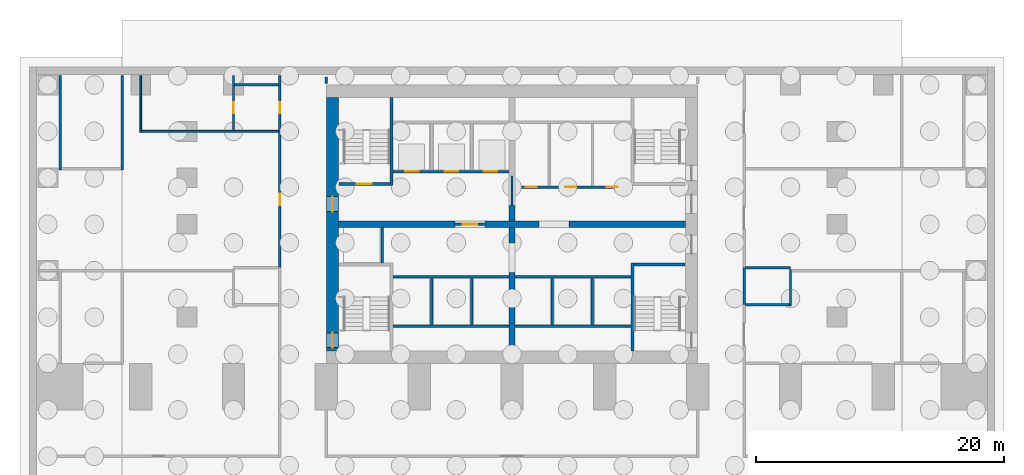
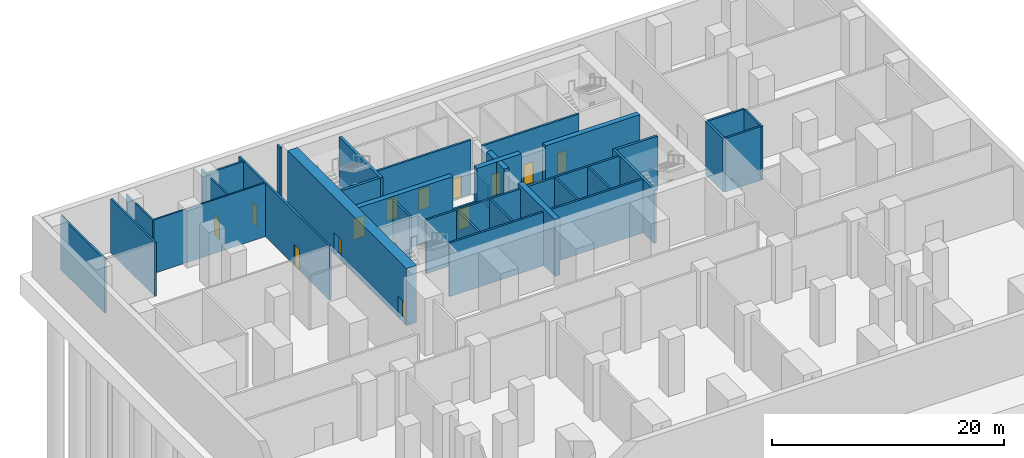
# One storey, part 5 of 9: 38 walls, 13 doors, 13 openings.
"""IFC4 building model written with IfcOpenShell, lengths in metres."""

from ifc_helpers import new_model, si_unit, direction, frame, frame_2d, origin, place, context, subcontext, project, spatial, rectangle, extrude, material, layer, layer_set, type_object, element, fill, save


model = new_model("IFC4")

# Units and contexts
model_context = context("Model", 3, precision=1e-05, world=origin(), true_north=direction((0.0, 1.0)))
body_context = subcontext(model_context, "Body", "Model", "MODEL_VIEW")
ifc_project = project(units=[si_unit("LENGTHUNIT", "METRE"), si_unit("AREAUNIT", "SQUARE_METRE"), si_unit("VOLUMEUNIT", "CUBIC_METRE"), si_unit("PLANEANGLEUNIT", "RADIAN"), si_unit("MASSUNIT", "GRAM", prefix="KILO")], contexts=[model_context])

# Site, building, storey
site_placement = place(None, origin())
site = spatial("IfcSite", under=ifc_project, at=site_placement, CompositionType="ELEMENT")
building_placement = place(site_placement, origin())
building = spatial("IfcBuilding", under=site, at=building_placement, Name="Pilkhan Gate Tower", CompositionType="ELEMENT")
storey_placement = place(building_placement, frame((0.0, 0.0, -6.0)))
storey = spatial("IfcBuildingStorey", under=building, at=storey_placement, Name="B1", CompositionType="ELEMENT", Elevation=-6.0)

# Wall, openings, doors
ifc_material_1 = material(Name="Concrete C70/85", Category="concrete")
ifc_layer_1 = layer(ifc_material_1, 1.0)
ifc_layer_set_1 = layer_set([ifc_layer_1], Name="Core wall CW1000 C70/85")
wall_type_1 = type_object("IfcWallType", Name="Core wall CW1000 C70/85", PredefinedType="SHEAR", material=ifc_layer_set_1)
wall_1_placement = place(storey_placement, frame((60.5, 92.75, 0.0), z_axis=(0.0, 0.0, 1.0), x_axis=(0.0, -1.0, 0.0)))
wall_1 = element("IfcWall", 1, at=wall_1_placement, inside=storey, type_object=wall_type_1, Name="Core wall W B1", PredefinedType="SHEAR", context=body_context, shape_type="SweptSolid", body=[
    extrude(rectangle(XDim=20.5, YDim=1.0, at=frame_2d((10.25, 0.0))), origin(), (0.0, 0.0, 1.0), 6.0),
])
opening_1_placement = place(wall_1_placement, frame((19.02490234375, 0.0, 0.0)))
opening_1 = element("IfcOpeningElement", 2, at=opening_1_placement, cuts=wall_1, Name="Opening B1-04", PredefinedType="OPENING", context=body_context, shape_type="SweptSolid", body=[
    extrude(rectangle(XDim=1.199951171875, YDim=2.199951171875, at=frame_2d((0.60009765625, 1.10009765625))), frame((0.0, 0.510009765625, 0.0), z_axis=(0.0, -1.0, 0.0), x_axis=(1.0, 0.0, 0.0)), (0.0, 0.0, 1.0), 1.02001953125),
])
opening_2_placement = place(wall_1_placement, frame((8.02490234375, 0.0, 0.0)))
opening_2 = element("IfcOpeningElement", 3, at=opening_2_placement, cuts=wall_1, Name="Opening B1-07", PredefinedType="OPENING", context=body_context, shape_type="SweptSolid", body=[
    extrude(rectangle(XDim=1.199951171875, YDim=2.199951171875, at=frame_2d((0.60009765625, 1.10009765625))), frame((0.0, 0.510009765625, 0.0), z_axis=(0.0, -1.0, 0.0), x_axis=(1.0, 0.0, 0.0)), (0.0, 0.0, 1.0), 1.02001953125),
])
ifc_material_2 = material(Name="Steel door, 120 minute fire resisting, self-closing", Category="steel")
door_type_1 = type_object("IfcDoorType", Name="Firefighting lobby door D10 1200x2200", OperationType="SINGLE_SWING_LEFT", PredefinedType="DOOR", material=ifc_material_2)
door_1_placement = place(opening_2_placement, origin())
door_1 = element("IfcDoor", 4, at=door_1_placement, inside=storey, type_object=door_type_1, Name="Core door", OperationType="SINGLE_SWING_LEFT", OverallHeight=2.199951171875, OverallWidth=1.199951171875, PredefinedType="DOOR", context=body_context, shape_type="SweptSolid", body=[
    extrude(rectangle(XDim=1.199951171875, YDim=2.199951171875, at=frame_2d((0.60009765625, 1.10009765625))), frame((0.0, 0.02490234375, 0.0), z_axis=(0.0, -1.0, 0.0), x_axis=(1.0, 0.0, 0.0)), (0.0, 0.0, 1.0), 0.050048828125),
])
fill(opening_2, door_1)
ifc_material_3 = material(Name="Steel door, 120 minute fire resisting, panic bar", Category="steel")
door_type_2 = type_object("IfcDoorType", Name="Stair door D11 1200x2200", OperationType="SINGLE_SWING_LEFT", PredefinedType="DOOR", material=ifc_material_3)
door_2_placement = place(opening_1_placement, origin())
door_2 = element("IfcDoor", 5, at=door_2_placement, inside=storey, type_object=door_type_2, Name="Stair ST2 door", OperationType="SINGLE_SWING_RIGHT", OverallHeight=2.199951171875, OverallWidth=1.199951171875, PredefinedType="DOOR", context=body_context, shape_type="SweptSolid", body=[
    extrude(rectangle(XDim=1.199951171875, YDim=2.199951171875, at=frame_2d((0.60009765625, 1.10009765625))), frame((0.0, 0.02490234375, 0.0), z_axis=(0.0, -1.0, 0.0), x_axis=(1.0, 0.0, 0.0)), (0.0, 0.0, 1.0), 0.050048828125),
])
fill(opening_1, door_2)

ifc_material_4 = material(Name="Dense blockwork", Category="masonry")
ifc_layer_2 = layer(ifc_material_4, 0.199951171875)
ifc_layer_set_2 = layer_set([ifc_layer_2], Name="Corridor wall FW200")
wall_type_2 = type_object("IfcWallType", Name="Corridor wall FW200", PredefinedType="PARTITIONING", material=ifc_layer_set_2)
wall_2_placement = place(storey_placement, frame((56.25, 78.89990234375, 0.0), z_axis=(0.0, 0.0, 1.0), x_axis=(0.0, 1.0, 0.0)))
wall_2 = element("IfcWall", 6, at=wall_2_placement, inside=storey, type_object=wall_type_2, Name="Partition B1", PredefinedType="PARTITIONING", context=body_context, shape_type="SweptSolid", body=[
    extrude(rectangle(XDim=14.85009765625, YDim=0.199951171875, at=frame_2d((7.425048828125, 0.0))), origin(), (0.0, 0.0, 1.0), 5.64990234375),
])
opening_3_placement = place(wall_2_placement, frame((5.14990234375, 0.0, 0.0)))
opening_3 = element("IfcOpeningElement", 7, at=opening_3_placement, cuts=wall_2, Name="Opening B1-18", PredefinedType="OPENING", context=body_context, shape_type="SweptSolid", body=[
    extrude(rectangle(XDim=0.89990234375, YDim=2.199951171875, at=frame_2d((0.449951171875, 1.10009765625))), frame((0.0, 0.10986328125, 0.0), z_axis=(0.0, -1.0, 0.0), x_axis=(1.0, 0.0, 0.0)), (0.0, 0.0, 1.0), 0.219970703125),
])
opening_4_placement = place(wall_2_placement, frame((12.550048828125, 0.0, 0.0)))
opening_4 = element("IfcOpeningElement", 8, at=opening_4_placement, cuts=wall_2, Name="Opening B1-19", PredefinedType="OPENING", context=body_context, shape_type="SweptSolid", body=[
    extrude(rectangle(XDim=0.89990234375, YDim=2.199951171875, at=frame_2d((0.449951171875, 1.10009765625))), frame((0.0, 0.10986328125, 0.0), z_axis=(0.0, -1.0, 0.0), x_axis=(1.0, 0.0, 0.0)), (0.0, 0.0, 1.0), 0.219970703125),
])
ifc_material_5 = material(Name="Timber flush door, 60 minute fire resisting, self-closing", Category="wood")
door_type_3 = type_object("IfcDoorType", Name="Store door D05 900x2200", OperationType="SINGLE_SWING_LEFT", PredefinedType="DOOR", material=ifc_material_5)
door_3_placement = place(opening_3_placement, origin())
door_3 = element("IfcDoor", 9, at=door_3_placement, inside=storey, type_object=door_type_3, Name="Store door", OperationType="SINGLE_SWING_RIGHT", OverallHeight=2.199951171875, OverallWidth=0.89990234375, PredefinedType="DOOR", context=body_context, shape_type="SweptSolid", body=[
    extrude(rectangle(XDim=0.89990234375, YDim=2.199951171875, at=frame_2d((0.449951171875, 1.10009765625))), frame((0.0, 0.02490234375, 0.0), z_axis=(0.0, -1.0, 0.0), x_axis=(1.0, 0.0, 0.0)), (0.0, 0.0, 1.0), 0.050048828125),
])
fill(opening_3, door_3)
ifc_material_6 = material(Name="Timber flush door, 30 minute fire resisting", Category="wood")
door_type_4 = type_object("IfcDoorType", Name="Toilet door D06 900x2200", OperationType="SINGLE_SWING_LEFT", PredefinedType="DOOR", material=ifc_material_6)
door_4_placement = place(opening_4_placement, origin())
door_4 = element("IfcDoor", 10, at=door_4_placement, inside=storey, type_object=door_type_4, Name="Toilet door", OperationType="SINGLE_SWING_LEFT", OverallHeight=2.199951171875, OverallWidth=0.89990234375, PredefinedType="DOOR", context=body_context, shape_type="SweptSolid", body=[
    extrude(rectangle(XDim=0.89990234375, YDim=2.199951171875, at=frame_2d((0.449951171875, 1.10009765625))), frame((0.0, 0.02490234375, 0.0), z_axis=(0.0, -1.0, 0.0), x_axis=(1.0, 0.0, 0.0)), (0.0, 0.0, 1.0), 0.050048828125),
])
fill(opening_4, door_4)

# Wall
wall_3_placement = place(storey_placement, frame((60.0, 93.8701171875, 0.0), z_axis=(0.0, 0.0, 1.0), x_axis=(0.0, 1.0, 0.0)))
element("IfcWall", 11, at=wall_3_placement, inside=storey, type_object=wall_type_2, Name="Partition B1", PredefinedType="PARTITIONING", context=body_context, shape_type="SweptSolid", body=[
    extrude(rectangle(XDim=0.52490234375, YDim=0.199951171875, at=frame_2d((0.262451171875, 0.0))), origin(), (0.0, 0.0, 1.0), 5.64990234375),
])

# Wall, opening, door
ifc_layer_3 = layer(ifc_material_4, 0.199951171875)
ifc_layer_set_3 = layer_set([ifc_layer_3], Name="Lobby wall LW200")
wall_type_3 = type_object("IfcWallType", Name="Lobby wall LW200", PredefinedType="PARTITIONING", material=ifc_layer_set_3)
wall_4_placement = place(storey_placement, frame((70.409912109375, 82.5, 0.0), z_axis=(0.0, 0.0, 1.0), x_axis=(1.0, 0.0, 0.0)))
wall_4 = element("IfcWall", 12, at=wall_4_placement, inside=storey, type_object=wall_type_3, Name="Partition B1", PredefinedType="PARTITIONING", context=body_context, shape_type="SweptSolid", body=[
    extrude(rectangle(XDim=2.380126953125, YDim=0.199951171875, at=frame_2d((1.18994140625, 0.0))), origin(), (0.0, 0.0, 1.0), 2.39990234375),
])
opening_5_placement = place(wall_4_placement, frame((0.60009765625, 0.0, 0.0)))
opening_5 = element("IfcOpeningElement", 13, at=opening_5_placement, cuts=wall_4, Name="Opening B1-01", PredefinedType="OPENING", context=body_context, shape_type="SweptSolid", body=[
    extrude(rectangle(XDim=1.199951171875, YDim=2.199951171875, at=frame_2d((0.60009765625, 1.10009765625))), frame((0.0, 0.10986328125, 0.0), z_axis=(0.0, -1.0, 0.0), x_axis=(1.0, 0.0, 0.0)), (0.0, 0.0, 1.0), 0.219970703125),
])
door_5_placement = place(opening_5_placement, origin())
door_5 = element("IfcDoor", 14, at=door_5_placement, inside=storey, type_object=door_type_1, Name="Firefighting lobby door", OperationType="SINGLE_SWING_LEFT", OverallHeight=2.199951171875, OverallWidth=1.199951171875, PredefinedType="DOOR", context=body_context, shape_type="SweptSolid", body=[
    extrude(rectangle(XDim=1.199951171875, YDim=2.199951171875, at=frame_2d((0.60009765625, 1.10009765625))), frame((0.0, 0.02490234375, 0.0), z_axis=(0.0, -1.0, 0.0), x_axis=(1.0, 0.0, 0.0)), (0.0, 0.0, 1.0), 0.050048828125),
])
fill(opening_5, door_5)

# Wall, openings, doors
wall_5_placement = place(storey_placement, frame((75.10009765625, 85.5, 0.0), z_axis=(0.0, 0.0, 1.0), x_axis=(1.0, 0.0, 0.0)))
wall_5 = element("IfcWall", 15, at=wall_5_placement, inside=storey, type_object=wall_type_3, Name="Partition B1", PredefinedType="PARTITIONING", context=body_context, shape_type="SweptSolid", body=[
    extrude(rectangle(XDim=9.64990234375, YDim=0.199951171875, at=frame_2d((4.824951171875, 0.0))), origin(), (0.0, 0.0, 1.0), 5.64990234375),
])
opening_6_placement = place(wall_5_placement, frame((1.0, 0.0, 0.0)))
opening_6 = element("IfcOpeningElement", 16, at=opening_6_placement, cuts=wall_5, Name="Opening B1-09", PredefinedType="OPENING", context=body_context, shape_type="SweptSolid", body=[
    extrude(rectangle(XDim=0.89990234375, YDim=2.199951171875, at=frame_2d((0.449951171875, 1.10009765625))), frame((0.0, 0.10986328125, 0.0), z_axis=(0.0, -1.0, 0.0), x_axis=(1.0, 0.0, 0.0)), (0.0, 0.0, 1.0), 0.219970703125),
])
opening_7_placement = place(wall_5_placement, frame((4.199951171875, 0.0, 0.0)))
opening_7 = element("IfcOpeningElement", 17, at=opening_7_placement, cuts=wall_5, Name="Opening B1-10", PredefinedType="OPENING", context=body_context, shape_type="SweptSolid", body=[
    extrude(rectangle(XDim=0.89990234375, YDim=2.199951171875, at=frame_2d((0.449951171875, 1.10009765625))), frame((0.0, 0.10986328125, 0.0), z_axis=(0.0, -1.0, 0.0), x_axis=(1.0, 0.0, 0.0)), (0.0, 0.0, 1.0), 0.219970703125),
])
opening_8_placement = place(wall_5_placement, frame((7.550048828125, 0.0, 0.0)))
opening_8 = element("IfcOpeningElement", 18, at=opening_8_placement, cuts=wall_5, Name="Opening B1-11", PredefinedType="OPENING", context=body_context, shape_type="SweptSolid", body=[
    extrude(rectangle(XDim=0.89990234375, YDim=2.199951171875, at=frame_2d((0.449951171875, 1.10009765625))), frame((0.0, 0.10986328125, 0.0), z_axis=(0.0, -1.0, 0.0), x_axis=(1.0, 0.0, 0.0)), (0.0, 0.0, 1.0), 0.219970703125),
])
door_6_placement = place(opening_7_placement, origin())
door_6 = element("IfcDoor", 19, at=door_6_placement, inside=storey, type_object=door_type_3, Name="Store door", OperationType="SINGLE_SWING_LEFT", OverallHeight=2.199951171875, OverallWidth=0.89990234375, PredefinedType="DOOR", context=body_context, shape_type="SweptSolid", body=[
    extrude(rectangle(XDim=0.89990234375, YDim=2.199951171875, at=frame_2d((0.449951171875, 1.10009765625))), frame((0.0, 0.02490234375, 0.0), z_axis=(0.0, -1.0, 0.0), x_axis=(1.0, 0.0, 0.0)), (0.0, 0.0, 1.0), 0.050048828125),
])
fill(opening_7, door_6)
door_7_placement = place(opening_8_placement, origin())
door_7 = element("IfcDoor", 20, at=door_7_placement, inside=storey, type_object=door_type_3, Name="Store door", OperationType="SINGLE_SWING_LEFT", OverallHeight=2.199951171875, OverallWidth=0.89990234375, PredefinedType="DOOR", context=body_context, shape_type="SweptSolid", body=[
    extrude(rectangle(XDim=0.89990234375, YDim=2.199951171875, at=frame_2d((0.449951171875, 1.10009765625))), frame((0.0, 0.02490234375, 0.0), z_axis=(0.0, -1.0, 0.0), x_axis=(1.0, 0.0, 0.0)), (0.0, 0.0, 1.0), 0.050048828125),
])
fill(opening_8, door_7)
door_8_placement = place(opening_6_placement, origin())
door_8 = element("IfcDoor", 21, at=door_8_placement, inside=storey, type_object=door_type_4, Name="Toilet door", OperationType="SINGLE_SWING_LEFT", OverallHeight=2.199951171875, OverallWidth=0.89990234375, PredefinedType="DOOR", context=body_context, shape_type="SweptSolid", body=[
    extrude(rectangle(XDim=0.89990234375, YDim=2.199951171875, at=frame_2d((0.449951171875, 1.10009765625))), frame((0.0, 0.02490234375, 0.0), z_axis=(0.0, -1.0, 0.0), x_axis=(1.0, 0.0, 0.0)), (0.0, 0.0, 1.0), 0.050048828125),
])
fill(opening_6, door_8)

# Walls
wall_6_placement = place(storey_placement, frame((52.60009765625, 93.75, 0.0), z_axis=(0.0, 0.0, 1.0), x_axis=(1.0, 0.0, 0.0)))
element("IfcWall", 22, at=wall_6_placement, inside=storey, type_object=wall_type_3, Name="Partition B1", PredefinedType="PARTITIONING", context=body_context, shape_type="SweptSolid", body=[
    extrude(rectangle(XDim=3.5498046875, YDim=0.199951171875, at=frame_2d((1.77490234375, 0.0))), origin(), (0.0, 0.0, 1.0), 5.64990234375),
])
for number, where, z_axis, x_axis, name in (
    (23, (38.5, 86.89990234375, 0.0), (0.0, 0.0, 1.0), (0.0, 1.0, 0.0), "Partition B1"),
    (24, (43.5, 86.89990234375, 0.0), (0.0, 0.0, 1.0), (0.0, 1.0, 0.0), "Partition B1"),
):
    element("IfcWall", number, at=place(storey_placement, frame(where, z_axis=z_axis, x_axis=x_axis)), inside=storey, type_object=wall_type_3, Name=name, PredefinedType="PARTITIONING", context=body_context, shape_type="SweptSolid", body=[
        extrude(rectangle(XDim=7.60009765625, YDim=0.199951171875, at=frame_2d((3.800048828125, 0.0))), origin(), (0.0, 0.0, 1.0), 5.64990234375),
    ])
for number, where, z_axis, x_axis, name in (
    (25, (52.5, 93.64990234375, 0.0), (0.0, 0.0, 1.0), (0.0, 1.0, 0.0), "Partition B1"),
    (26, (56.25, 93.64990234375, 0.0), (0.0, 0.0, 1.0), (0.0, 1.0, 0.0), "Partition B1"),
):
    element("IfcWall", number, at=place(storey_placement, frame(where, z_axis=z_axis, x_axis=x_axis)), inside=storey, type_object=wall_type_3, Name=name, PredefinedType="PARTITIONING", context=body_context, shape_type="SweptSolid", body=[
        extrude(rectangle(XDim=0.864990234375, YDim=0.199951171875, at=frame_2d((0.4326171875, 0.0))), origin(), (0.0, 0.0, 1.0), 5.64990234375),
    ])
wall_7_placement = place(storey_placement, frame((75.0, 84.010009765625, 0.0), z_axis=(0.0, 0.0, 1.0), x_axis=(0.0, 1.0, 0.0)))
element("IfcWall", 27, at=wall_7_placement, inside=storey, type_object=wall_type_3, Name="Partition B1", PredefinedType="PARTITIONING", context=body_context, shape_type="SweptSolid", body=[
    extrude(rectangle(XDim=2.3798828125, YDim=0.199951171875, at=frame_2d((1.18994140625, 0.0))), origin(), (0.0, 0.0, 1.0), 2.39990234375),
])
ifc_material_7 = material(Name="Blockwork partition, plastered both sides", Category="masonry")
ifc_layer_4 = layer(ifc_material_7, 0.14990234375)
ifc_layer_set_4 = layer_set([ifc_layer_4], Name="Partition PW150")
wall_type_4 = type_object("IfcWallType", Name="Partition PW150", PredefinedType="PARTITIONING", material=ifc_layer_set_4)
wall_8_placement = place(storey_placement, frame((45.074951171875, 90.0, 0.0), z_axis=(0.0, 0.0, 1.0), x_axis=(1.0, 0.0, 0.0)))
element("IfcWall", 28, at=wall_8_placement, inside=storey, type_object=wall_type_4, Name="Partition B1", PredefinedType="PARTITIONING", context=body_context, shape_type="SweptSolid", body=[
    extrude(rectangle(XDim=11.074951171875, YDim=0.14990234375, at=frame_2d((5.53759765625, 0.0))), origin(), (0.0, 0.0, 1.0), 5.64990234375),
])
wall_9_placement = place(storey_placement, frame((45.0, 89.925048828125, 0.0), z_axis=(0.0, 0.0, 1.0), x_axis=(0.0, 1.0, 0.0)))
element("IfcWall", 29, at=wall_9_placement, inside=storey, type_object=wall_type_4, Name="Partition B1", PredefinedType="PARTITIONING", context=body_context, shape_type="SweptSolid", body=[
    extrude(rectangle(XDim=4.58984375, YDim=0.14990234375, at=frame_2d((2.294921875, 0.0))), origin(), (0.0, 0.0, 1.0), 5.64990234375),
])

# Wall, opening, door
wall_10_placement = place(storey_placement, frame((52.5, 90.074951171875, 0.0), z_axis=(0.0, 0.0, 1.0), x_axis=(0.0, 1.0, 0.0)))
wall_10 = element("IfcWall", 30, at=wall_10_placement, inside=storey, type_object=wall_type_4, Name="Partition B1", PredefinedType="PARTITIONING", context=body_context, shape_type="SweptSolid", body=[
    extrude(rectangle(XDim=3.675048828125, YDim=0.14990234375, at=frame_2d((1.83740234375, 0.0))), origin(), (0.0, 0.0, 1.0), 5.64990234375),
])
opening_9_placement = place(wall_10_placement, frame((1.39990234375, 0.0, 0.0)))
opening_9 = element("IfcOpeningElement", 31, at=opening_9_placement, cuts=wall_10, Name="Opening B1-20", PredefinedType="OPENING", context=body_context, shape_type="SweptSolid", body=[
    extrude(rectangle(XDim=0.89990234375, YDim=2.199951171875, at=frame_2d((0.449951171875, 1.10009765625))), frame((0.0, 0.0849609375, 0.0), z_axis=(0.0, -1.0, 0.0), x_axis=(1.0, 0.0, 0.0)), (0.0, 0.0, 1.0), 0.169921875),
])
door_9_placement = place(opening_9_placement, origin())
door_9 = element("IfcDoor", 32, at=door_9_placement, inside=storey, type_object=door_type_3, Name="Store door", OperationType="SINGLE_SWING_RIGHT", OverallHeight=2.199951171875, OverallWidth=0.89990234375, PredefinedType="DOOR", context=body_context, shape_type="SweptSolid", body=[
    extrude(rectangle(XDim=0.89990234375, YDim=2.199951171875, at=frame_2d((0.449951171875, 1.10009765625))), frame((0.0, 0.02490234375, 0.0), z_axis=(0.0, -1.0, 0.0), x_axis=(1.0, 0.0, 0.0)), (0.0, 0.0, 1.0), 0.050048828125),
])
fill(opening_9, door_9)

# Walls
ifc_material_8 = material(Name="Reinforced blockwork shaft wall, 120 minute fire resisting", Category="masonry")
ifc_layer_5 = layer(ifc_material_8, 0.199951171875)
ifc_layer_set_5 = layer_set([ifc_layer_5], Name="Shaft wall SW200")
wall_type_5 = type_object("IfcWallType", Name="Shaft wall SW200", PredefinedType="PARTITIONING", material=ifc_layer_set_5)
for number, where, z_axis, x_axis, name in (
    (33, (65.375, 74.25, 0.0), (0.0, 0.0, 1.0), (1.0, 0.0, 0.0), "Partition B1"),
    (34, (75.260009765625, 74.25, 0.0), (0.0, 0.0, 1.0), (1.0, 0.0, 0.0), "Partition B1"),
):
    element("IfcWall", number, at=place(storey_placement, frame(where, z_axis=z_axis, x_axis=x_axis)), inside=storey, type_object=wall_type_5, Name=name, PredefinedType="PARTITIONING", context=body_context, shape_type="SweptSolid", body=[
        extrude(rectangle(XDim=9.364990234375, YDim=0.199951171875, at=frame_2d((4.6826171875, 0.0))), origin(), (0.0, 0.0, 1.0), 5.64990234375),
    ])
wall_11_placement = place(storey_placement, frame((93.85009765625, 76.0, 0.0), z_axis=(0.0, 0.0, 1.0), x_axis=(1.0, 0.0, 0.0)))
element("IfcWall", 35, at=wall_11_placement, inside=storey, type_object=wall_type_5, Name="Partition B1", PredefinedType="PARTITIONING", context=body_context, shape_type="SweptSolid", body=[
    extrude(rectangle(XDim=3.5498046875, YDim=0.199951171875, at=frame_2d((1.77490234375, 0.0))), origin(), (0.0, 0.0, 1.0), 5.64990234375),
])
for number, where, z_axis, x_axis, name in (
    (36, (65.375, 78.25, 0.0), (0.0, 0.0, 1.0), (1.0, 0.0, 0.0), "Partition B1"),
    (37, (75.260009765625, 78.25, 0.0), (0.0, 0.0, 1.0), (1.0, 0.0, 0.0), "Partition B1"),
):
    element("IfcWall", number, at=place(storey_placement, frame(where, z_axis=z_axis, x_axis=x_axis)), inside=storey, type_object=wall_type_5, Name=name, PredefinedType="PARTITIONING", context=body_context, shape_type="SweptSolid", body=[
        extrude(rectangle(XDim=9.364990234375, YDim=0.199951171875, at=frame_2d((4.6826171875, 0.0))), origin(), (0.0, 0.0, 1.0), 5.64990234375),
    ])
wall_12_placement = place(storey_placement, frame((93.85009765625, 79.0, 0.0), z_axis=(0.0, 0.0, 1.0), x_axis=(1.0, 0.0, 0.0)))
element("IfcWall", 38, at=wall_12_placement, inside=storey, type_object=wall_type_5, Name="Partition B1", PredefinedType="PARTITIONING", context=body_context, shape_type="SweptSolid", body=[
    extrude(rectangle(XDim=3.64990234375, YDim=0.199951171875, at=frame_2d((1.824951171875, 0.0))), origin(), (0.0, 0.0, 1.0), 5.64990234375),
])

# Wall, openings, doors
wall_13_placement = place(storey_placement, frame((65.375, 86.75, 0.0), z_axis=(0.0, 0.0, 1.0), x_axis=(1.0, 0.0, 0.0)))
wall_13 = element("IfcWall", 39, at=wall_13_placement, inside=storey, type_object=wall_type_5, Name="Partition B1", PredefinedType="PARTITIONING", context=body_context, shape_type="SweptSolid", body=[
    extrude(rectangle(XDim=9.364990234375, YDim=0.199951171875, at=frame_2d((4.6826171875, 0.0))), origin(), (0.0, 0.0, 1.0), 5.64990234375),
])
opening_10_placement = place(wall_13_placement, frame((1.0, 0.0, 0.0)))
opening_10 = element("IfcOpeningElement", 40, at=opening_10_placement, cuts=wall_13, Name="Opening LD", PredefinedType="OPENING", context=body_context, shape_type="SweptSolid", body=[
    extrude(rectangle(XDim=1.10009765625, YDim=2.199951171875, at=frame_2d((0.550048828125, 1.10009765625))), frame((0.0, 0.10986328125, 0.0), z_axis=(0.0, -1.0, 0.0), x_axis=(1.0, 0.0, 0.0)), (0.0, 0.0, 1.0), 0.219970703125),
])
opening_11_placement = place(wall_13_placement, frame((4.175048828125, 0.0, 0.0)))
opening_11 = element("IfcOpeningElement", 41, at=opening_11_placement, cuts=wall_13, Name="Opening LD", PredefinedType="OPENING", context=body_context, shape_type="SweptSolid", body=[
    extrude(rectangle(XDim=1.10009765625, YDim=2.199951171875, at=frame_2d((0.550048828125, 1.10009765625))), frame((0.0, 0.10986328125, 0.0), z_axis=(0.0, -1.0, 0.0), x_axis=(1.0, 0.0, 0.0)), (0.0, 0.0, 1.0), 0.219970703125),
])
opening_12_placement = place(wall_13_placement, frame((7.324951171875, 0.0, 0.0)))
opening_12 = element("IfcOpeningElement", 42, at=opening_12_placement, cuts=wall_13, Name="Opening LD", PredefinedType="OPENING", context=body_context, shape_type="SweptSolid", body=[
    extrude(rectangle(XDim=1.10009765625, YDim=2.199951171875, at=frame_2d((0.550048828125, 1.10009765625))), frame((0.0, 0.10986328125, 0.0), z_axis=(0.0, -1.0, 0.0), x_axis=(1.0, 0.0, 0.0)), (0.0, 0.0, 1.0), 0.219970703125),
])
ifc_material_9 = material(Name="Stainless steel centre-opening landing door, 120 minute fire resisting", Category="steel")
door_type_5 = type_object("IfcDoorType", Name="Lift landing door LD 1100x2200", OperationType="DOUBLE_DOOR_SLIDING", PredefinedType="DOOR", material=ifc_material_9)
door_10_placement = place(opening_10_placement, origin())
door_10 = element("IfcDoor", 43, at=door_10_placement, inside=storey, type_object=door_type_5, Name="Landing door FF1", OperationType="DOUBLE_DOOR_SLIDING", OverallHeight=2.199951171875, OverallWidth=1.10009765625, PredefinedType="DOOR", context=body_context, shape_type="SweptSolid", body=[
    extrude(rectangle(XDim=1.10009765625, YDim=2.199951171875, at=frame_2d((0.550048828125, 1.10009765625))), frame((0.0, 0.02490234375, 0.0), z_axis=(0.0, -1.0, 0.0), x_axis=(1.0, 0.0, 0.0)), (0.0, 0.0, 1.0), 0.050048828125),
])
fill(opening_10, door_10)
door_11_placement = place(opening_11_placement, origin())
door_11 = element("IfcDoor", 44, at=door_11_placement, inside=storey, type_object=door_type_5, Name="Landing door FF2", OperationType="DOUBLE_DOOR_SLIDING", OverallHeight=2.199951171875, OverallWidth=1.10009765625, PredefinedType="DOOR", context=body_context, shape_type="SweptSolid", body=[
    extrude(rectangle(XDim=1.10009765625, YDim=2.199951171875, at=frame_2d((0.550048828125, 1.10009765625))), frame((0.0, 0.02490234375, 0.0), z_axis=(0.0, -1.0, 0.0), x_axis=(1.0, 0.0, 0.0)), (0.0, 0.0, 1.0), 0.050048828125),
])
fill(opening_11, door_11)
door_12_placement = place(opening_12_placement, origin())
door_12 = element("IfcDoor", 45, at=door_12_placement, inside=storey, type_object=door_type_5, Name="Landing door SV1", OperationType="DOUBLE_DOOR_SLIDING", OverallHeight=2.199951171875, OverallWidth=1.10009765625, PredefinedType="DOOR", context=body_context, shape_type="SweptSolid", body=[
    extrude(rectangle(XDim=1.10009765625, YDim=2.199951171875, at=frame_2d((0.550048828125, 1.10009765625))), frame((0.0, 0.02490234375, 0.0), z_axis=(0.0, -1.0, 0.0), x_axis=(1.0, 0.0, 0.0)), (0.0, 0.0, 1.0), 0.050048828125),
])
fill(opening_12, door_12)

# Walls
wall_14_placement = place(storey_placement, frame((64.5, 79.375, 0.0), z_axis=(0.0, 0.0, 1.0), x_axis=(0.0, 1.0, 0.0)))
element("IfcWall", 46, at=wall_14_placement, inside=storey, type_object=wall_type_5, Name="Partition B1", PredefinedType="PARTITIONING", context=body_context, shape_type="SweptSolid", body=[
    extrude(rectangle(XDim=2.864990234375, YDim=0.199951171875, at=frame_2d((1.4326171875, 0.0))), origin(), (0.0, 0.0, 1.0), 5.64990234375),
])
for number, where, z_axis, x_axis, name in (
    (47, (68.5, 74.35009765625, 0.0), (0.0, 0.0, 1.0), (0.0, 1.0, 0.0), "Partition B1"),
    (48, (71.75, 74.35009765625, 0.0), (0.0, 0.0, 1.0), (0.0, 1.0, 0.0), "Partition B1"),
    (49, (78.25, 74.35009765625, 0.0), (0.0, 0.0, 1.0), (0.0, 1.0, 0.0), "Partition B1"),
    (50, (81.5, 74.35009765625, 0.0), (0.0, 0.0, 1.0), (0.0, 1.0, 0.0), "Partition B1"),
):
    element("IfcWall", number, at=place(storey_placement, frame(where, z_axis=z_axis, x_axis=x_axis)), inside=storey, type_object=wall_type_5, Name=name, PredefinedType="PARTITIONING", context=body_context, shape_type="SweptSolid", body=[
        extrude(rectangle(XDim=3.7998046875, YDim=0.199951171875, at=frame_2d((1.89990234375, 0.0))), origin(), (0.0, 0.0, 1.0), 5.64990234375),
    ])
wall_15_placement = place(storey_placement, frame((93.75, 76.0, 0.0), z_axis=(0.0, 0.0, 1.0), x_axis=(0.0, 1.0, 0.0)))
element("IfcWall", 51, at=wall_15_placement, inside=storey, type_object=wall_type_5, Name="Partition B1", PredefinedType="PARTITIONING", context=body_context, shape_type="SweptSolid", body=[
    extrude(rectangle(XDim=3.0, YDim=0.199951171875, at=frame_2d((1.5, 0.0))), origin(), (0.0, 0.0, 1.0), 5.64990234375),
])
wall_16_placement = place(storey_placement, frame((97.5, 75.89990234375, 0.0), z_axis=(0.0, 0.0, 1.0), x_axis=(0.0, 1.0, 0.0)))
element("IfcWall", 52, at=wall_16_placement, inside=storey, type_object=wall_type_5, Name="Partition B1", PredefinedType="PARTITIONING", context=body_context, shape_type="SweptSolid", body=[
    extrude(rectangle(XDim=2.9501953125, YDim=0.199951171875, at=frame_2d((1.47509765625, 0.0))), origin(), (0.0, 0.0, 1.0), 5.64990234375),
])
ifc_layer_6 = layer(ifc_material_1, 0.5)
ifc_layer_set_6 = layer_set([ifc_layer_6], Name="Spine wall SW500 C70/85")
wall_type_6 = type_object("IfcWallType", Name="Spine wall SW500 C70/85", PredefinedType="SHEAR", material=ifc_layer_set_6)
wall_17_placement = place(storey_placement, frame((61.0, 82.5, 0.0), z_axis=(0.0, 0.0, 1.0), x_axis=(1.0, 0.0, 0.0)))
element("IfcWall", 53, at=wall_17_placement, inside=storey, type_object=wall_type_6, Name="Spine wall SP-EW1 B1", PredefinedType="SHEAR", context=body_context, shape_type="SweptSolid", body=[
    extrude(rectangle(XDim=9.39990234375, YDim=0.5, at=frame_2d((4.699951171875, 0.0))), origin(), (0.0, 0.0, 1.0), 6.0),
])
wall_18_placement = place(storey_placement, frame((72.800048828125, 82.5, 0.0), z_axis=(0.0, 0.0, 1.0), x_axis=(1.0, 0.0, 0.0)))
element("IfcWall", 54, at=wall_18_placement, inside=storey, type_object=wall_type_6, Name="Spine wall SP-EW2 B1", PredefinedType="SHEAR", context=body_context, shape_type="SweptSolid", body=[
    extrude(rectangle(XDim=4.39990234375, YDim=0.5, at=frame_2d((2.199951171875, 0.0))), origin(), (0.0, 0.0, 1.0), 6.0),
])
wall_19_placement = place(storey_placement, frame((79.60009765625, 82.5, 0.0), z_axis=(0.0, 0.0, 1.0), x_axis=(1.0, 0.0, 0.0)))
element("IfcWall", 55, at=wall_19_placement, inside=storey, type_object=wall_type_6, Name="Spine wall SP-EW3 B1", PredefinedType="SHEAR", context=body_context, shape_type="SweptSolid", body=[
    extrude(rectangle(XDim=9.39990234375, YDim=0.5, at=frame_2d((4.699951171875, 0.0))), origin(), (0.0, 0.0, 1.0), 6.0),
])
wall_20_placement = place(storey_placement, frame((75.0, 72.25, 0.0), z_axis=(0.0, 0.0, 1.0), x_axis=(0.0, 1.0, 0.0)))
element("IfcWall", 56, at=wall_20_placement, inside=storey, type_object=wall_type_6, Name="Spine wall SP-NS-S1 B1", PredefinedType="SHEAR", context=body_context, shape_type="SweptSolid", body=[
    extrude(rectangle(XDim=6.35009765625, YDim=0.5, at=frame_2d((3.175048828125, 0.0))), origin(), (0.0, 0.0, 1.0), 6.0),
])
for number, where, z_axis, x_axis, name in (
    (57, (75.0, 81.0, 0.0), (0.0, 0.0, 1.0), (0.0, 1.0, 0.0), "Spine wall SP-NS-S2 B1"),
    (58, (75.0, 82.75, 0.0), (0.0, 0.0, 1.0), (0.0, 1.0, 0.0), "Spine wall SP-NS-N1 B1"),
):
    element("IfcWall", number, at=place(storey_placement, frame(where, z_axis=z_axis, x_axis=x_axis)), inside=storey, type_object=wall_type_6, Name=name, PredefinedType="SHEAR", context=body_context, shape_type="SweptSolid", body=[
        extrude(rectangle(XDim=1.25, YDim=0.5, at=frame_2d((0.625, 0.0))), origin(), (0.0, 0.0, 1.0), 6.0),
    ])
ifc_material_10 = material(Name="Reinforced blockwork, 120 minute fire resisting", Category="masonry")
ifc_layer_7 = layer(ifc_material_10, 0.25)
ifc_layer_set_7 = layer_set([ifc_layer_7], Name="Stair enclosure wall SE250")
wall_type_7 = type_object("IfcWallType", Name="Stair enclosure wall SE250", PredefinedType="PARTITIONING", material=ifc_layer_set_7)
wall_21_placement = place(storey_placement, frame((84.875, 79.25, 0.0), z_axis=(0.0, 0.0, 1.0), x_axis=(1.0, 0.0, 0.0)))
element("IfcWall", 59, at=wall_21_placement, inside=storey, type_object=wall_type_7, Name="Partition B1", PredefinedType="PARTITIONING", context=body_context, shape_type="SweptSolid", body=[
    extrude(rectangle(XDim=4.114990234375, YDim=0.25, at=frame_2d((2.0576171875, 0.0))), origin(), (0.0, 0.0, 1.0), 5.64990234375),
])

# Wall, opening, door
wall_22_placement = place(storey_placement, frame((61.010009765625, 85.75, 0.0), z_axis=(0.0, 0.0, 1.0), x_axis=(1.0, 0.0, 0.0)))
wall_22 = element("IfcWall", 60, at=wall_22_placement, inside=storey, type_object=wall_type_7, Name="Partition B1", PredefinedType="PARTITIONING", context=body_context, shape_type="SweptSolid", body=[
    extrude(rectangle(XDim=4.114990234375, YDim=0.25, at=frame_2d((2.0576171875, 0.0))), origin(), (0.0, 0.0, 1.0), 5.64990234375),
])
opening_13_placement = place(wall_22_placement, frame((1.449951171875, 0.0, 0.0)))
opening_13 = element("IfcOpeningElement", 61, at=opening_13_placement, cuts=wall_22, Name="Opening B1-02", PredefinedType="OPENING", context=body_context, shape_type="SweptSolid", body=[
    extrude(rectangle(XDim=1.199951171875, YDim=2.199951171875, at=frame_2d((0.60009765625, 1.10009765625))), frame((0.0, 0.135009765625, 0.0), z_axis=(0.0, -1.0, 0.0), x_axis=(1.0, 0.0, 0.0)), (0.0, 0.0, 1.0), 0.27001953125),
])
door_13_placement = place(opening_13_placement, origin())
door_13 = element("IfcDoor", 62, at=door_13_placement, inside=storey, type_object=door_type_2, Name="Stair ST3 lobby door", OperationType="SINGLE_SWING_RIGHT", OverallHeight=2.199951171875, OverallWidth=1.199951171875, PredefinedType="DOOR", context=body_context, shape_type="SweptSolid", body=[
    extrude(rectangle(XDim=1.199951171875, YDim=2.199951171875, at=frame_2d((0.60009765625, 1.10009765625))), frame((0.0, 0.02490234375, 0.0), z_axis=(0.0, -1.0, 0.0), x_axis=(1.0, 0.0, 0.0)), (0.0, 0.0, 1.0), 0.050048828125),
])
fill(opening_13, door_13)

# Walls
for number, where, z_axis, x_axis, name in (
    (63, (65.25, 85.625, 0.0), (0.0, 0.0, 1.0), (0.0, 1.0, 0.0), "Partition B1"),
    (64, (84.75, 72.260009765625, 0.0), (0.0, 0.0, 1.0), (0.0, 1.0, 0.0), "Partition B1"),
):
    element("IfcWall", number, at=place(storey_placement, frame(where, z_axis=z_axis, x_axis=x_axis)), inside=storey, type_object=wall_type_7, Name=name, PredefinedType="PARTITIONING", context=body_context, shape_type="SweptSolid", body=[
        extrude(rectangle(XDim=7.114990234375, YDim=0.25, at=frame_2d((3.5576171875, 0.0))), origin(), (0.0, 0.0, 1.0), 5.64990234375),
    ])

save(model, "model.ifc")
